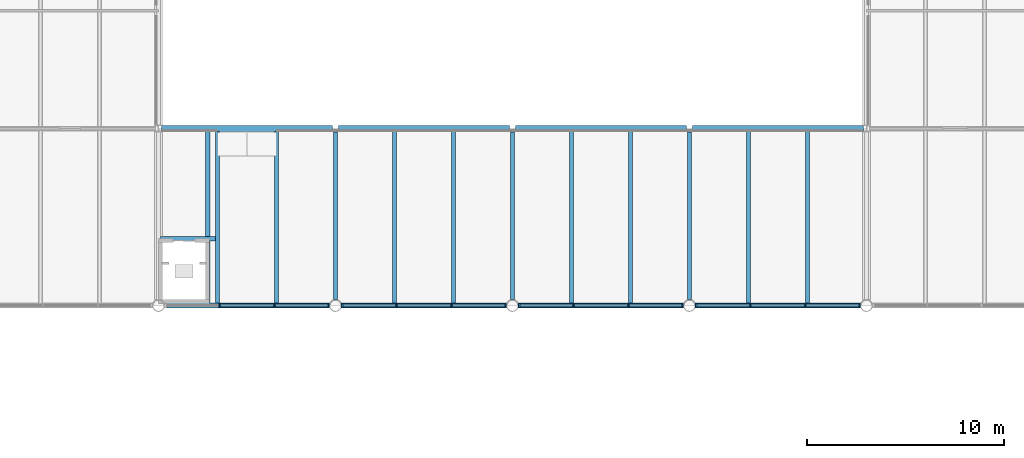
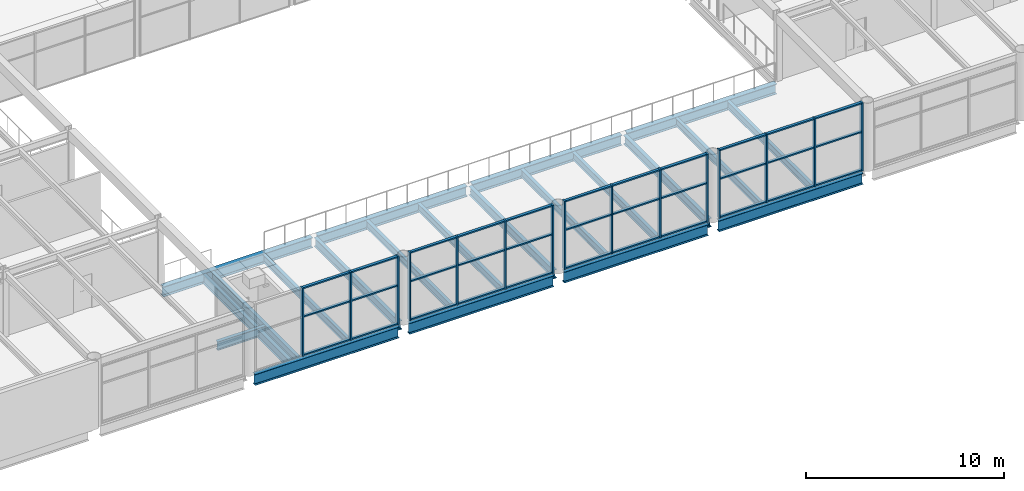
# One storey, part 41 of 123: 48 members, 22 beams, 4 elements without a shape of their own.
"""IFC4 building model written with IfcOpenShell, lengths in metres."""

from ifc_helpers import new_model, si_unit, direction, frame, origin, origin_2d, place, context, subcontext, project, spatial, rectangle, i_section, extrude, material, material_profile, profile_set, type_object, element, aggregate, save


model = new_model("IFC4")

# Units and contexts
model_context = context("Model", 3, precision=1e-05, world=origin(), true_north=direction((0.0, 1.0)))
body_context = subcontext(model_context, "Body", "Model", "MODEL_VIEW")
ifc_project = project(units=[si_unit("LENGTHUNIT", "METRE"), si_unit("AREAUNIT", "SQUARE_METRE"), si_unit("VOLUMEUNIT", "CUBIC_METRE"), si_unit("PLANEANGLEUNIT", "RADIAN"), si_unit("MASSUNIT", "GRAM", prefix="KILO")], contexts=[model_context])

# Site, building, storey
site_placement = place(None, origin())
site = spatial("IfcSite", under=ifc_project, at=site_placement, CompositionType="ELEMENT")
building_placement = place(site_placement, origin())
building = spatial("IfcBuilding", under=site, at=building_placement, Name="Baradari Gate Terminus", CompositionType="ELEMENT")
storey_placement = place(building_placement, frame((0.0, 0.0, 7.5)))
storey = spatial("IfcBuildingStorey", under=building, at=storey_placement, Name="L01", CompositionType="ELEMENT", Elevation=7.5)

# Beams
ifc_material_1 = material(Name="Steel S355", Category="steel")
ifc_material_profile_1 = material_profile(ifc_material_1, i_section(OverallWidth=0.30712890625, OverallDepth=0.6201171875, WebThickness=0.01416015625, FlangeThickness=0.023681640625, FilletRadius=0.0166015625, at=origin_2d()), Name="UB 610x305x179")
ifc_profile_set_1 = profile_set([ifc_material_profile_1], Name="Steel S355")
beam_type_1 = type_object("IfcBeamType", Name="Balcony edge beam B10 UB 610x305x179", PredefinedType="BEAM", material=ifc_profile_set_1)
beam_1_placement = place(storey_placement, frame((135.15380859375, 90.0, -0.440185546875), z_axis=(1.0, 0.0, 0.0), x_axis=(0.0, 1.0, 0.0)))
element("IfcBeam", 1, at=beam_1_placement, inside=storey, type_object=beam_type_1, Name="Balcony edge beam B10 L:135.154-143.844 L01", PredefinedType="BEAM", context=body_context, shape_type="SweptSolid", body=[
    extrude(i_section(OverallWidth=0.30712890625, OverallDepth=0.6201171875, WebThickness=0.01416015625, FlangeThickness=0.023681640625, FilletRadius=0.0166015625, at=origin_2d()), origin(), (0.0, 0.0, 1.0), 8.690673828125),
])
for number, where, z_axis, x_axis, name in (
    (2, (144.155517578125, 90.0, -0.440185546875), (1.0, 0.0, 0.0), (0.0, 1.0, 0.0), "Balcony edge beam B10 L:144.156-152.844 L01"),
    (3, (153.155517578125, 90.0, -0.440185546875), (1.0, 0.0, 0.0), (0.0, 1.0, 0.0), "Balcony edge beam B10 L:153.156-161.844 L01"),
):
    element("IfcBeam", number, at=place(storey_placement, frame(where, z_axis=z_axis, x_axis=x_axis)), inside=storey, type_object=beam_type_1, Name=name, PredefinedType="BEAM", context=body_context, shape_type="SweptSolid", body=[
        extrude(i_section(OverallWidth=0.30712890625, OverallDepth=0.6201171875, WebThickness=0.01416015625, FlangeThickness=0.023681640625, FilletRadius=0.0166015625, at=origin_2d()), origin(), (0.0, 0.0, 1.0), 8.68896484375),
    ])
beam_2_placement = place(storey_placement, frame((162.155517578125, 90.0, -0.440185546875), z_axis=(1.0, 0.0, 0.0), x_axis=(0.0, 1.0, 0.0)))
element("IfcBeam", 4, at=beam_2_placement, inside=storey, type_object=beam_type_1, Name="Balcony edge beam B10 L:162.156-170.846 L01", PredefinedType="BEAM", context=body_context, shape_type="SweptSolid", body=[
    extrude(i_section(OverallWidth=0.30712890625, OverallDepth=0.6201171875, WebThickness=0.01416015625, FlangeThickness=0.023681640625, FilletRadius=0.0166015625, at=origin_2d()), origin(), (0.0, 0.0, 1.0), 8.690673828125),
])

# Curtain wall, members
ifc_material_2 = material(Name="Aluminium 6063-T6", Category="aluminium")
curtain_wall_type = type_object("IfcCurtainWallType", Name="Curtain wall CW-11 concourse gallery glazing, other height", PredefinedType="NOTDEFINED", material=ifc_material_2)
curtain_wall_1_placement = place(storey_placement, origin())
curtain_wall_1 = element("IfcCurtainWall", 5, at=curtain_wall_1_placement, inside=storey, type_object=curtain_wall_type, Name="Glazed curtain wall CW-11 HS bay 16 L01", PredefinedType="NOTDEFINED")
ifc_material_3 = material(Name="Aluminium 6063-T6", Category="aluminium")
ifc_material_profile_2 = material_profile(ifc_material_3, rectangle(XDim=0.22509765625, YDim=0.080078125, at=origin_2d()), Name="CM-11 80X225")
ifc_profile_set_2 = profile_set([ifc_material_profile_2], Name="Aluminium 6063-T6")
member_type_1 = type_object("IfcMemberType", Name="Curtain wall mullion CM-11 80x225", PredefinedType="MULLION", material=ifc_profile_set_2)
member_1_placement = place(storey_placement, frame((138.1015625, 81.0, 0.0), z_axis=(0.0, 0.0, 1.0), x_axis=(0.0, 1.0, 0.0)))
member_1 = element("IfcMember", 6, at=member_1_placement, type_object=member_type_1, Name="CW-11 mullion 2", PredefinedType="MULLION", context=body_context, shape_type="SweptSolid", body=[
    extrude(rectangle(XDim=0.22509765625, YDim=0.080078125, at=origin_2d()), origin(), (0.0, 0.0, 1.0), 4.199951171875),
])
member_2_placement = place(storey_placement, frame((140.8984375, 81.0, 0.0), z_axis=(0.0, 0.0, 1.0), x_axis=(0.0, 1.0, 0.0)))
member_2 = element("IfcMember", 7, at=member_2_placement, type_object=member_type_1, Name="CW-11 mullion 3", PredefinedType="MULLION", context=body_context, shape_type="SweptSolid", body=[
    extrude(rectangle(XDim=0.22509765625, YDim=0.080078125, at=origin_2d()), origin(), (0.0, 0.0, 1.0), 4.199951171875),
])
member_3_placement = place(storey_placement, frame((143.655029296875, 81.0, 0.0), z_axis=(0.0, 0.0, 1.0), x_axis=(0.0, 1.0, 0.0)))
member_3 = element("IfcMember", 8, at=member_3_placement, type_object=member_type_1, Name="CW-11 mullion 4", PredefinedType="MULLION", context=body_context, shape_type="SweptSolid", body=[
    extrude(rectangle(XDim=0.22509765625, YDim=0.080078125, at=origin_2d()), origin(), (0.0, 0.0, 1.0), 4.199951171875),
])

curtain_wall_2_placement = place(storey_placement, origin())
curtain_wall_2 = element("IfcCurtainWall", 9, at=curtain_wall_2_placement, inside=storey, type_object=curtain_wall_type, Name="Glazed curtain wall CW-11 HS bay 17 L01", PredefinedType="NOTDEFINED")
member_4_placement = place(storey_placement, frame((144.344970703125, 81.0, 0.0), z_axis=(0.0, 0.0, 1.0), x_axis=(0.0, 1.0, 0.0)))
member_4 = element("IfcMember", 10, at=member_4_placement, type_object=member_type_1, Name="CW-11 mullion 1", PredefinedType="MULLION", context=body_context, shape_type="SweptSolid", body=[
    extrude(rectangle(XDim=0.22509765625, YDim=0.080078125, at=origin_2d()), origin(), (0.0, 0.0, 1.0), 4.199951171875),
])
member_5_placement = place(storey_placement, frame((147.1015625, 81.0, 0.0), z_axis=(0.0, 0.0, 1.0), x_axis=(0.0, 1.0, 0.0)))
member_5 = element("IfcMember", 11, at=member_5_placement, type_object=member_type_1, Name="CW-11 mullion 2", PredefinedType="MULLION", context=body_context, shape_type="SweptSolid", body=[
    extrude(rectangle(XDim=0.22509765625, YDim=0.080078125, at=origin_2d()), origin(), (0.0, 0.0, 1.0), 4.199951171875),
])
member_6_placement = place(storey_placement, frame((149.8984375, 81.0, 0.0), z_axis=(0.0, 0.0, 1.0), x_axis=(0.0, 1.0, 0.0)))
member_6 = element("IfcMember", 12, at=member_6_placement, type_object=member_type_1, Name="CW-11 mullion 3", PredefinedType="MULLION", context=body_context, shape_type="SweptSolid", body=[
    extrude(rectangle(XDim=0.22509765625, YDim=0.080078125, at=origin_2d()), origin(), (0.0, 0.0, 1.0), 4.199951171875),
])
member_7_placement = place(storey_placement, frame((152.655029296875, 81.0, 0.0), z_axis=(0.0, 0.0, 1.0), x_axis=(0.0, 1.0, 0.0)))
member_7 = element("IfcMember", 13, at=member_7_placement, type_object=member_type_1, Name="CW-11 mullion 4", PredefinedType="MULLION", context=body_context, shape_type="SweptSolid", body=[
    extrude(rectangle(XDim=0.22509765625, YDim=0.080078125, at=origin_2d()), origin(), (0.0, 0.0, 1.0), 4.199951171875),
])

curtain_wall_3_placement = place(storey_placement, origin())
curtain_wall_3 = element("IfcCurtainWall", 14, at=curtain_wall_3_placement, inside=storey, type_object=curtain_wall_type, Name="Glazed curtain wall CW-11 HS bay 18 L01", PredefinedType="NOTDEFINED")
member_8_placement = place(storey_placement, frame((153.344970703125, 81.0, 0.0), z_axis=(0.0, 0.0, 1.0), x_axis=(0.0, 1.0, 0.0)))
member_8 = element("IfcMember", 15, at=member_8_placement, type_object=member_type_1, Name="CW-11 mullion 1", PredefinedType="MULLION", context=body_context, shape_type="SweptSolid", body=[
    extrude(rectangle(XDim=0.22509765625, YDim=0.080078125, at=origin_2d()), origin(), (0.0, 0.0, 1.0), 4.199951171875),
])
member_9_placement = place(storey_placement, frame((156.1015625, 81.0, 0.0), z_axis=(0.0, 0.0, 1.0), x_axis=(0.0, 1.0, 0.0)))
member_9 = element("IfcMember", 16, at=member_9_placement, type_object=member_type_1, Name="CW-11 mullion 2", PredefinedType="MULLION", context=body_context, shape_type="SweptSolid", body=[
    extrude(rectangle(XDim=0.22509765625, YDim=0.080078125, at=origin_2d()), origin(), (0.0, 0.0, 1.0), 4.199951171875),
])
member_10_placement = place(storey_placement, frame((158.8984375, 81.0, 0.0), z_axis=(0.0, 0.0, 1.0), x_axis=(0.0, 1.0, 0.0)))
member_10 = element("IfcMember", 17, at=member_10_placement, type_object=member_type_1, Name="CW-11 mullion 3", PredefinedType="MULLION", context=body_context, shape_type="SweptSolid", body=[
    extrude(rectangle(XDim=0.22509765625, YDim=0.080078125, at=origin_2d()), origin(), (0.0, 0.0, 1.0), 4.199951171875),
])
member_11_placement = place(storey_placement, frame((161.655029296875, 81.0, 0.0), z_axis=(0.0, 0.0, 1.0), x_axis=(0.0, 1.0, 0.0)))
member_11 = element("IfcMember", 18, at=member_11_placement, type_object=member_type_1, Name="CW-11 mullion 4", PredefinedType="MULLION", context=body_context, shape_type="SweptSolid", body=[
    extrude(rectangle(XDim=0.22509765625, YDim=0.080078125, at=origin_2d()), origin(), (0.0, 0.0, 1.0), 4.199951171875),
])

curtain_wall_4_placement = place(storey_placement, origin())
curtain_wall_4 = element("IfcCurtainWall", 19, at=curtain_wall_4_placement, inside=storey, type_object=curtain_wall_type, Name="Glazed curtain wall CW-11 HS bay 19 L01", PredefinedType="NOTDEFINED")
member_12_placement = place(storey_placement, frame((162.344970703125, 81.0, 0.0), z_axis=(0.0, 0.0, 1.0), x_axis=(0.0, 1.0, 0.0)))
member_12 = element("IfcMember", 20, at=member_12_placement, type_object=member_type_1, Name="CW-11 mullion 1", PredefinedType="MULLION", context=body_context, shape_type="SweptSolid", body=[
    extrude(rectangle(XDim=0.22509765625, YDim=0.080078125, at=origin_2d()), origin(), (0.0, 0.0, 1.0), 4.199951171875),
])
member_13_placement = place(storey_placement, frame((165.1015625, 81.0, 0.0), z_axis=(0.0, 0.0, 1.0), x_axis=(0.0, 1.0, 0.0)))
member_13 = element("IfcMember", 21, at=member_13_placement, type_object=member_type_1, Name="CW-11 mullion 2", PredefinedType="MULLION", context=body_context, shape_type="SweptSolid", body=[
    extrude(rectangle(XDim=0.22509765625, YDim=0.080078125, at=origin_2d()), origin(), (0.0, 0.0, 1.0), 4.199951171875),
])
member_14_placement = place(storey_placement, frame((167.8984375, 81.0, 0.0), z_axis=(0.0, 0.0, 1.0), x_axis=(0.0, 1.0, 0.0)))
member_14 = element("IfcMember", 22, at=member_14_placement, type_object=member_type_1, Name="CW-11 mullion 3", PredefinedType="MULLION", context=body_context, shape_type="SweptSolid", body=[
    extrude(rectangle(XDim=0.22509765625, YDim=0.080078125, at=origin_2d()), origin(), (0.0, 0.0, 1.0), 4.199951171875),
])
member_15_placement = place(storey_placement, frame((170.655029296875, 81.0, 0.0), z_axis=(0.0, 0.0, 1.0), x_axis=(0.0, 1.0, 0.0)))
member_15 = element("IfcMember", 23, at=member_15_placement, type_object=member_type_1, Name="CW-11 mullion 4", PredefinedType="MULLION", context=body_context, shape_type="SweptSolid", body=[
    extrude(rectangle(XDim=0.22509765625, YDim=0.080078125, at=origin_2d()), origin(), (0.0, 0.0, 1.0), 4.199951171875),
])

# Member
ifc_material_4 = material(Name="Aluminium 6063-T6", Category="aluminium")
ifc_material_profile_3 = material_profile(ifc_material_4, rectangle(XDim=0.159912109375, YDim=0.080078125, at=origin_2d()), Name="CT-11 80X160")
ifc_profile_set_3 = profile_set([ifc_material_profile_3], Name="Aluminium 6063-T6")
member_type_2 = type_object("IfcMemberType", Name="Curtain wall transom CT-11 80x160", PredefinedType="USERDEFINED", material=ifc_profile_set_3)
member_16_placement = place(storey_placement, frame((138.1416015625, 81.0, 0.0400390625), z_axis=(1.0, 0.0, 0.0), x_axis=(0.0, 1.0, 0.0)))
member_16 = element("IfcMember", 24, at=member_16_placement, type_object=member_type_2, Name="CW-11 transom 2.1", ObjectType="TRANSOM", PredefinedType="USERDEFINED", context=body_context, shape_type="SweptSolid", body=[
    extrude(rectangle(XDim=0.159912109375, YDim=0.080078125, at=origin_2d()), origin(), (0.0, 0.0, 1.0), 2.716796875),
])

member_17_placement = place(storey_placement, frame((138.1416015625, 81.0, 2.39990234375), z_axis=(1.0, 0.0, 0.0), x_axis=(0.0, 1.0, 0.0)))
member_17 = element("IfcMember", 25, at=member_17_placement, type_object=member_type_2, Name="CW-11 transom 2.2", ObjectType="TRANSOM", PredefinedType="USERDEFINED", context=body_context, shape_type="SweptSolid", body=[
    extrude(rectangle(XDim=0.159912109375, YDim=0.080078125, at=origin_2d()), origin(), (0.0, 0.0, 1.0), 2.716796875),
])

member_18_placement = place(storey_placement, frame((138.1416015625, 81.0, 4.159912109375), z_axis=(1.0, 0.0, 0.0), x_axis=(0.0, 1.0, 0.0)))
member_18 = element("IfcMember", 26, at=member_18_placement, type_object=member_type_2, Name="CW-11 transom 2.3", ObjectType="TRANSOM", PredefinedType="USERDEFINED", context=body_context, shape_type="SweptSolid", body=[
    extrude(rectangle(XDim=0.159912109375, YDim=0.080078125, at=origin_2d()), origin(), (0.0, 0.0, 1.0), 2.716796875),
])

member_19_placement = place(storey_placement, frame((140.938232421875, 81.0, 0.0400390625), z_axis=(1.0, 0.0, 0.0), x_axis=(0.0, 1.0, 0.0)))
member_19 = element("IfcMember", 27, at=member_19_placement, type_object=member_type_2, Name="CW-11 transom 3.1", ObjectType="TRANSOM", PredefinedType="USERDEFINED", context=body_context, shape_type="SweptSolid", body=[
    extrude(rectangle(XDim=0.159912109375, YDim=0.080078125, at=origin_2d()), origin(), (0.0, 0.0, 1.0), 2.6767578125),
])

member_20_placement = place(storey_placement, frame((140.938232421875, 81.0, 2.39990234375), z_axis=(1.0, 0.0, 0.0), x_axis=(0.0, 1.0, 0.0)))
member_20 = element("IfcMember", 28, at=member_20_placement, type_object=member_type_2, Name="CW-11 transom 3.2", ObjectType="TRANSOM", PredefinedType="USERDEFINED", context=body_context, shape_type="SweptSolid", body=[
    extrude(rectangle(XDim=0.159912109375, YDim=0.080078125, at=origin_2d()), origin(), (0.0, 0.0, 1.0), 2.6767578125),
])

member_21_placement = place(storey_placement, frame((140.938232421875, 81.0, 4.159912109375), z_axis=(1.0, 0.0, 0.0), x_axis=(0.0, 1.0, 0.0)))
member_21 = element("IfcMember", 29, at=member_21_placement, type_object=member_type_2, Name="CW-11 transom 3.3", ObjectType="TRANSOM", PredefinedType="USERDEFINED", context=body_context, shape_type="SweptSolid", body=[
    extrude(rectangle(XDim=0.159912109375, YDim=0.080078125, at=origin_2d()), origin(), (0.0, 0.0, 1.0), 2.6767578125),
])

aggregate(curtain_wall_1, [member_1, member_2, member_3, member_16, member_17, member_18, member_19, member_20, member_21])

member_22_placement = place(storey_placement, frame((144.385009765625, 81.0, 0.0400390625), z_axis=(1.0, 0.0, 0.0), x_axis=(0.0, 1.0, 0.0)))
member_22 = element("IfcMember", 30, at=member_22_placement, type_object=member_type_2, Name="CW-11 transom 1.1", ObjectType="TRANSOM", PredefinedType="USERDEFINED", context=body_context, shape_type="SweptSolid", body=[
    extrude(rectangle(XDim=0.159912109375, YDim=0.080078125, at=origin_2d()), origin(), (0.0, 0.0, 1.0), 2.6767578125),
])

member_23_placement = place(storey_placement, frame((144.385009765625, 81.0, 2.39990234375), z_axis=(1.0, 0.0, 0.0), x_axis=(0.0, 1.0, 0.0)))
member_23 = element("IfcMember", 31, at=member_23_placement, type_object=member_type_2, Name="CW-11 transom 1.2", ObjectType="TRANSOM", PredefinedType="USERDEFINED", context=body_context, shape_type="SweptSolid", body=[
    extrude(rectangle(XDim=0.159912109375, YDim=0.080078125, at=origin_2d()), origin(), (0.0, 0.0, 1.0), 2.6767578125),
])

member_24_placement = place(storey_placement, frame((144.385009765625, 81.0, 4.159912109375), z_axis=(1.0, 0.0, 0.0), x_axis=(0.0, 1.0, 0.0)))
member_24 = element("IfcMember", 32, at=member_24_placement, type_object=member_type_2, Name="CW-11 transom 1.3", ObjectType="TRANSOM", PredefinedType="USERDEFINED", context=body_context, shape_type="SweptSolid", body=[
    extrude(rectangle(XDim=0.159912109375, YDim=0.080078125, at=origin_2d()), origin(), (0.0, 0.0, 1.0), 2.6767578125),
])

member_25_placement = place(storey_placement, frame((147.1416015625, 81.0, 0.0400390625), z_axis=(1.0, 0.0, 0.0), x_axis=(0.0, 1.0, 0.0)))
member_25 = element("IfcMember", 33, at=member_25_placement, type_object=member_type_2, Name="CW-11 transom 2.1", ObjectType="TRANSOM", PredefinedType="USERDEFINED", context=body_context, shape_type="SweptSolid", body=[
    extrude(rectangle(XDim=0.159912109375, YDim=0.080078125, at=origin_2d()), origin(), (0.0, 0.0, 1.0), 2.716796875),
])

member_26_placement = place(storey_placement, frame((147.1416015625, 81.0, 2.39990234375), z_axis=(1.0, 0.0, 0.0), x_axis=(0.0, 1.0, 0.0)))
member_26 = element("IfcMember", 34, at=member_26_placement, type_object=member_type_2, Name="CW-11 transom 2.2", ObjectType="TRANSOM", PredefinedType="USERDEFINED", context=body_context, shape_type="SweptSolid", body=[
    extrude(rectangle(XDim=0.159912109375, YDim=0.080078125, at=origin_2d()), origin(), (0.0, 0.0, 1.0), 2.716796875),
])

member_27_placement = place(storey_placement, frame((147.1416015625, 81.0, 4.159912109375), z_axis=(1.0, 0.0, 0.0), x_axis=(0.0, 1.0, 0.0)))
member_27 = element("IfcMember", 35, at=member_27_placement, type_object=member_type_2, Name="CW-11 transom 2.3", ObjectType="TRANSOM", PredefinedType="USERDEFINED", context=body_context, shape_type="SweptSolid", body=[
    extrude(rectangle(XDim=0.159912109375, YDim=0.080078125, at=origin_2d()), origin(), (0.0, 0.0, 1.0), 2.716796875),
])

member_28_placement = place(storey_placement, frame((149.938232421875, 81.0, 0.0400390625), z_axis=(1.0, 0.0, 0.0), x_axis=(0.0, 1.0, 0.0)))
member_28 = element("IfcMember", 36, at=member_28_placement, type_object=member_type_2, Name="CW-11 transom 3.1", ObjectType="TRANSOM", PredefinedType="USERDEFINED", context=body_context, shape_type="SweptSolid", body=[
    extrude(rectangle(XDim=0.159912109375, YDim=0.080078125, at=origin_2d()), origin(), (0.0, 0.0, 1.0), 2.6767578125),
])

member_29_placement = place(storey_placement, frame((149.938232421875, 81.0, 2.39990234375), z_axis=(1.0, 0.0, 0.0), x_axis=(0.0, 1.0, 0.0)))
member_29 = element("IfcMember", 37, at=member_29_placement, type_object=member_type_2, Name="CW-11 transom 3.2", ObjectType="TRANSOM", PredefinedType="USERDEFINED", context=body_context, shape_type="SweptSolid", body=[
    extrude(rectangle(XDim=0.159912109375, YDim=0.080078125, at=origin_2d()), origin(), (0.0, 0.0, 1.0), 2.6767578125),
])

member_30_placement = place(storey_placement, frame((149.938232421875, 81.0, 4.159912109375), z_axis=(1.0, 0.0, 0.0), x_axis=(0.0, 1.0, 0.0)))
member_30 = element("IfcMember", 38, at=member_30_placement, type_object=member_type_2, Name="CW-11 transom 3.3", ObjectType="TRANSOM", PredefinedType="USERDEFINED", context=body_context, shape_type="SweptSolid", body=[
    extrude(rectangle(XDim=0.159912109375, YDim=0.080078125, at=origin_2d()), origin(), (0.0, 0.0, 1.0), 2.6767578125),
])

aggregate(curtain_wall_2, [member_4, member_5, member_6, member_7, member_22, member_23, member_24, member_25, member_26, member_27, member_28, member_29, member_30])

member_31_placement = place(storey_placement, frame((153.385009765625, 81.0, 0.0400390625), z_axis=(1.0, 0.0, 0.0), x_axis=(0.0, 1.0, 0.0)))
member_31 = element("IfcMember", 39, at=member_31_placement, type_object=member_type_2, Name="CW-11 transom 1.1", ObjectType="TRANSOM", PredefinedType="USERDEFINED", context=body_context, shape_type="SweptSolid", body=[
    extrude(rectangle(XDim=0.159912109375, YDim=0.080078125, at=origin_2d()), origin(), (0.0, 0.0, 1.0), 2.6767578125),
])

member_32_placement = place(storey_placement, frame((153.385009765625, 81.0, 2.39990234375), z_axis=(1.0, 0.0, 0.0), x_axis=(0.0, 1.0, 0.0)))
member_32 = element("IfcMember", 40, at=member_32_placement, type_object=member_type_2, Name="CW-11 transom 1.2", ObjectType="TRANSOM", PredefinedType="USERDEFINED", context=body_context, shape_type="SweptSolid", body=[
    extrude(rectangle(XDim=0.159912109375, YDim=0.080078125, at=origin_2d()), origin(), (0.0, 0.0, 1.0), 2.6767578125),
])

member_33_placement = place(storey_placement, frame((153.385009765625, 81.0, 4.159912109375), z_axis=(1.0, 0.0, 0.0), x_axis=(0.0, 1.0, 0.0)))
member_33 = element("IfcMember", 41, at=member_33_placement, type_object=member_type_2, Name="CW-11 transom 1.3", ObjectType="TRANSOM", PredefinedType="USERDEFINED", context=body_context, shape_type="SweptSolid", body=[
    extrude(rectangle(XDim=0.159912109375, YDim=0.080078125, at=origin_2d()), origin(), (0.0, 0.0, 1.0), 2.6767578125),
])

member_34_placement = place(storey_placement, frame((156.1416015625, 81.0, 0.0400390625), z_axis=(1.0, 0.0, 0.0), x_axis=(0.0, 1.0, 0.0)))
member_34 = element("IfcMember", 42, at=member_34_placement, type_object=member_type_2, Name="CW-11 transom 2.1", ObjectType="TRANSOM", PredefinedType="USERDEFINED", context=body_context, shape_type="SweptSolid", body=[
    extrude(rectangle(XDim=0.159912109375, YDim=0.080078125, at=origin_2d()), origin(), (0.0, 0.0, 1.0), 2.716796875),
])

member_35_placement = place(storey_placement, frame((156.1416015625, 81.0, 2.39990234375), z_axis=(1.0, 0.0, 0.0), x_axis=(0.0, 1.0, 0.0)))
member_35 = element("IfcMember", 43, at=member_35_placement, type_object=member_type_2, Name="CW-11 transom 2.2", ObjectType="TRANSOM", PredefinedType="USERDEFINED", context=body_context, shape_type="SweptSolid", body=[
    extrude(rectangle(XDim=0.159912109375, YDim=0.080078125, at=origin_2d()), origin(), (0.0, 0.0, 1.0), 2.716796875),
])

member_36_placement = place(storey_placement, frame((156.1416015625, 81.0, 4.159912109375), z_axis=(1.0, 0.0, 0.0), x_axis=(0.0, 1.0, 0.0)))
member_36 = element("IfcMember", 44, at=member_36_placement, type_object=member_type_2, Name="CW-11 transom 2.3", ObjectType="TRANSOM", PredefinedType="USERDEFINED", context=body_context, shape_type="SweptSolid", body=[
    extrude(rectangle(XDim=0.159912109375, YDim=0.080078125, at=origin_2d()), origin(), (0.0, 0.0, 1.0), 2.716796875),
])

member_37_placement = place(storey_placement, frame((158.938232421875, 81.0, 0.0400390625), z_axis=(1.0, 0.0, 0.0), x_axis=(0.0, 1.0, 0.0)))
member_37 = element("IfcMember", 45, at=member_37_placement, type_object=member_type_2, Name="CW-11 transom 3.1", ObjectType="TRANSOM", PredefinedType="USERDEFINED", context=body_context, shape_type="SweptSolid", body=[
    extrude(rectangle(XDim=0.159912109375, YDim=0.080078125, at=origin_2d()), origin(), (0.0, 0.0, 1.0), 2.6767578125),
])

member_38_placement = place(storey_placement, frame((158.938232421875, 81.0, 2.39990234375), z_axis=(1.0, 0.0, 0.0), x_axis=(0.0, 1.0, 0.0)))
member_38 = element("IfcMember", 46, at=member_38_placement, type_object=member_type_2, Name="CW-11 transom 3.2", ObjectType="TRANSOM", PredefinedType="USERDEFINED", context=body_context, shape_type="SweptSolid", body=[
    extrude(rectangle(XDim=0.159912109375, YDim=0.080078125, at=origin_2d()), origin(), (0.0, 0.0, 1.0), 2.6767578125),
])

member_39_placement = place(storey_placement, frame((158.938232421875, 81.0, 4.159912109375), z_axis=(1.0, 0.0, 0.0), x_axis=(0.0, 1.0, 0.0)))
member_39 = element("IfcMember", 47, at=member_39_placement, type_object=member_type_2, Name="CW-11 transom 3.3", ObjectType="TRANSOM", PredefinedType="USERDEFINED", context=body_context, shape_type="SweptSolid", body=[
    extrude(rectangle(XDim=0.159912109375, YDim=0.080078125, at=origin_2d()), origin(), (0.0, 0.0, 1.0), 2.6767578125),
])

aggregate(curtain_wall_3, [member_8, member_9, member_10, member_11, member_31, member_32, member_33, member_34, member_35, member_36, member_37, member_38, member_39])

member_40_placement = place(storey_placement, frame((162.385009765625, 81.0, 0.0400390625), z_axis=(1.0, 0.0, 0.0), x_axis=(0.0, 1.0, 0.0)))
member_40 = element("IfcMember", 48, at=member_40_placement, type_object=member_type_2, Name="CW-11 transom 1.1", ObjectType="TRANSOM", PredefinedType="USERDEFINED", context=body_context, shape_type="SweptSolid", body=[
    extrude(rectangle(XDim=0.159912109375, YDim=0.080078125, at=origin_2d()), origin(), (0.0, 0.0, 1.0), 2.6767578125),
])

member_41_placement = place(storey_placement, frame((162.385009765625, 81.0, 2.39990234375), z_axis=(1.0, 0.0, 0.0), x_axis=(0.0, 1.0, 0.0)))
member_41 = element("IfcMember", 49, at=member_41_placement, type_object=member_type_2, Name="CW-11 transom 1.2", ObjectType="TRANSOM", PredefinedType="USERDEFINED", context=body_context, shape_type="SweptSolid", body=[
    extrude(rectangle(XDim=0.159912109375, YDim=0.080078125, at=origin_2d()), origin(), (0.0, 0.0, 1.0), 2.6767578125),
])

member_42_placement = place(storey_placement, frame((162.385009765625, 81.0, 4.159912109375), z_axis=(1.0, 0.0, 0.0), x_axis=(0.0, 1.0, 0.0)))
member_42 = element("IfcMember", 50, at=member_42_placement, type_object=member_type_2, Name="CW-11 transom 1.3", ObjectType="TRANSOM", PredefinedType="USERDEFINED", context=body_context, shape_type="SweptSolid", body=[
    extrude(rectangle(XDim=0.159912109375, YDim=0.080078125, at=origin_2d()), origin(), (0.0, 0.0, 1.0), 2.6767578125),
])

member_43_placement = place(storey_placement, frame((165.1416015625, 81.0, 0.0400390625), z_axis=(1.0, 0.0, 0.0), x_axis=(0.0, 1.0, 0.0)))
member_43 = element("IfcMember", 51, at=member_43_placement, type_object=member_type_2, Name="CW-11 transom 2.1", ObjectType="TRANSOM", PredefinedType="USERDEFINED", context=body_context, shape_type="SweptSolid", body=[
    extrude(rectangle(XDim=0.159912109375, YDim=0.080078125, at=origin_2d()), origin(), (0.0, 0.0, 1.0), 2.716796875),
])

member_44_placement = place(storey_placement, frame((165.1416015625, 81.0, 2.39990234375), z_axis=(1.0, 0.0, 0.0), x_axis=(0.0, 1.0, 0.0)))
member_44 = element("IfcMember", 52, at=member_44_placement, type_object=member_type_2, Name="CW-11 transom 2.2", ObjectType="TRANSOM", PredefinedType="USERDEFINED", context=body_context, shape_type="SweptSolid", body=[
    extrude(rectangle(XDim=0.159912109375, YDim=0.080078125, at=origin_2d()), origin(), (0.0, 0.0, 1.0), 2.716796875),
])

member_45_placement = place(storey_placement, frame((165.1416015625, 81.0, 4.159912109375), z_axis=(1.0, 0.0, 0.0), x_axis=(0.0, 1.0, 0.0)))
member_45 = element("IfcMember", 53, at=member_45_placement, type_object=member_type_2, Name="CW-11 transom 2.3", ObjectType="TRANSOM", PredefinedType="USERDEFINED", context=body_context, shape_type="SweptSolid", body=[
    extrude(rectangle(XDim=0.159912109375, YDim=0.080078125, at=origin_2d()), origin(), (0.0, 0.0, 1.0), 2.716796875),
])

member_46_placement = place(storey_placement, frame((167.938232421875, 81.0, 0.0400390625), z_axis=(1.0, 0.0, 0.0), x_axis=(0.0, 1.0, 0.0)))
member_46 = element("IfcMember", 54, at=member_46_placement, type_object=member_type_2, Name="CW-11 transom 3.1", ObjectType="TRANSOM", PredefinedType="USERDEFINED", context=body_context, shape_type="SweptSolid", body=[
    extrude(rectangle(XDim=0.159912109375, YDim=0.080078125, at=origin_2d()), origin(), (0.0, 0.0, 1.0), 2.6767578125),
])

member_47_placement = place(storey_placement, frame((167.938232421875, 81.0, 2.39990234375), z_axis=(1.0, 0.0, 0.0), x_axis=(0.0, 1.0, 0.0)))
member_47 = element("IfcMember", 55, at=member_47_placement, type_object=member_type_2, Name="CW-11 transom 3.2", ObjectType="TRANSOM", PredefinedType="USERDEFINED", context=body_context, shape_type="SweptSolid", body=[
    extrude(rectangle(XDim=0.159912109375, YDim=0.080078125, at=origin_2d()), origin(), (0.0, 0.0, 1.0), 2.6767578125),
])

member_48_placement = place(storey_placement, frame((167.938232421875, 81.0, 4.159912109375), z_axis=(1.0, 0.0, 0.0), x_axis=(0.0, 1.0, 0.0)))
member_48 = element("IfcMember", 56, at=member_48_placement, type_object=member_type_2, Name="CW-11 transom 3.3", ObjectType="TRANSOM", PredefinedType="USERDEFINED", context=body_context, shape_type="SweptSolid", body=[
    extrude(rectangle(XDim=0.159912109375, YDim=0.080078125, at=origin_2d()), origin(), (0.0, 0.0, 1.0), 2.6767578125),
])

aggregate(curtain_wall_4, [member_12, member_13, member_14, member_15, member_40, member_41, member_42, member_43, member_44, member_45, member_46, member_47, member_48])

# Beams
ifc_material_5 = material(Name="Steel S355", Category="steel")
ifc_material_profile_4 = material_profile(ifc_material_5, i_section(OverallWidth=0.210693359375, OverallDepth=0.53955078125, WebThickness=0.01171875, FlangeThickness=0.018798828125, FilletRadius=0.0126953125, at=origin_2d()), Name="UB 533x210x109")
ifc_profile_set_4 = profile_set([ifc_material_profile_4], Name="Steel S355")
beam_type_2 = type_object("IfcBeamType", Name="Head-house cross girder B12 UB 533x210x109", PredefinedType="BEAM", material=ifc_profile_set_4)
for number, where, z_axis, x_axis, name in (
    (57, (144.0, 81.304931640625, -0.399658203125), (0.0, 1.0, 0.0), (-1.0, 0.0, 0.0), "Head-house cross girder B12 17:81.305-89.836 L01"),
    (58, (153.0, 81.304931640625, -0.399658203125), (0.0, 1.0, 0.0), (-1.0, 0.0, 0.0), "Head-house cross girder B12 18:81.305-89.836 L01"),
    (59, (162.0, 81.304931640625, -0.399658203125), (0.0, 1.0, 0.0), (-1.0, 0.0, 0.0), "Head-house cross girder B12 19:81.305-89.836 L01"),
):
    element("IfcBeam", number, at=place(storey_placement, frame(where, z_axis=z_axis, x_axis=x_axis)), inside=storey, type_object=beam_type_2, Name=name, PredefinedType="BEAM", context=body_context, shape_type="SweptSolid", body=[
        extrude(i_section(OverallWidth=0.210693359375, OverallDepth=0.53955078125, WebThickness=0.01171875, FlangeThickness=0.018798828125, FilletRadius=0.0126953125, at=origin_2d()), origin(), (0.0, 0.0, 1.0), 8.531494140625),
    ])
ifc_material_6 = material(Name="Steel S355", Category="steel")
ifc_material_profile_5 = material_profile(ifc_material_6, i_section(OverallWidth=0.2529296875, OverallDepth=0.677978515625, WebThickness=0.01171875, FlangeThickness=0.01611328125, FilletRadius=0.01513671875, at=origin_2d()), Name="UB 686x254x125")
ifc_profile_set_5 = profile_set([ifc_material_profile_5], Name="Steel S355")
beam_type_3 = type_object("IfcBeamType", Name="Head-house edge girder B07 UB 686x254x125", PredefinedType="BEAM", material=ifc_profile_set_5)
for number, where, z_axis, x_axis, name in (
    (60, (135.304931640625, 81.0, -0.468994140625), (1.0, 0.0, 0.0), (0.0, 1.0, 0.0), "Head-house edge girder B07 K:135.305-143.695 L01"),
    (61, (144.304931640625, 81.0, -0.468994140625), (1.0, 0.0, 0.0), (0.0, 1.0, 0.0), "Head-house edge girder B07 K:144.305-152.695 L01"),
    (62, (153.304931640625, 81.0, -0.468994140625), (1.0, 0.0, 0.0), (0.0, 1.0, 0.0), "Head-house edge girder B07 K:153.305-161.695 L01"),
    (63, (162.304931640625, 81.0, -0.468994140625), (1.0, 0.0, 0.0), (0.0, 1.0, 0.0), "Head-house edge girder B07 K:162.305-170.695 L01"),
):
    element("IfcBeam", number, at=place(storey_placement, frame(where, z_axis=z_axis, x_axis=x_axis)), inside=storey, type_object=beam_type_3, Name=name, PredefinedType="BEAM", context=body_context, shape_type="SweptSolid", body=[
        extrude(i_section(OverallWidth=0.2529296875, OverallDepth=0.677978515625, WebThickness=0.01171875, FlangeThickness=0.01611328125, FilletRadius=0.01513671875, at=origin_2d()), origin(), (0.0, 0.0, 1.0), 8.39013671875),
    ])
ifc_material_7 = material(Name="Steel S355", Category="steel")
ifc_material_profile_6 = material_profile(ifc_material_7, i_section(OverallWidth=0.18994140625, OverallDepth=0.453369140625, WebThickness=0.008544921875, FlangeThickness=0.0126953125, FilletRadius=0.01025390625, at=origin_2d()), Name="UB 457x191x67")
ifc_profile_set_6 = profile_set([ifc_material_profile_6], Name="Steel S355")
beam_type_4 = type_object("IfcBeamType", Name="Head-house secondary beam B11 UB 457x191x67", PredefinedType="BEAM", material=ifc_profile_set_6)
for number, where, z_axis, x_axis, name in (
    (64, (138.0, 81.12646484375, -0.356689453125), (0.0, 1.0, 0.0), (-1.0, 0.0, 0.0), "Head-house secondary beam B11 138:81.126-89.847 L01"),
    (65, (141.0, 81.12646484375, -0.356689453125), (0.0, 1.0, 0.0), (-1.0, 0.0, 0.0), "Head-house secondary beam B11 141:81.126-89.847 L01"),
    (66, (147.0, 81.12646484375, -0.356689453125), (0.0, 1.0, 0.0), (-1.0, 0.0, 0.0), "Head-house secondary beam B11 147:81.126-89.847 L01"),
    (67, (150.0, 81.12646484375, -0.356689453125), (0.0, 1.0, 0.0), (-1.0, 0.0, 0.0), "Head-house secondary beam B11 150:81.126-89.847 L01"),
    (68, (156.0, 81.12646484375, -0.356689453125), (0.0, 1.0, 0.0), (-1.0, 0.0, 0.0), "Head-house secondary beam B11 156:81.126-89.847 L01"),
    (69, (159.0, 81.12646484375, -0.356689453125), (0.0, 1.0, 0.0), (-1.0, 0.0, 0.0), "Head-house secondary beam B11 159:81.126-89.847 L01"),
    (70, (165.0, 81.12646484375, -0.356689453125), (0.0, 1.0, 0.0), (-1.0, 0.0, 0.0), "Head-house secondary beam B11 165:81.126-89.847 L01"),
    (71, (168.0, 81.12646484375, -0.356689453125), (0.0, 1.0, 0.0), (-1.0, 0.0, 0.0), "Head-house secondary beam B11 168:81.126-89.847 L01"),
):
    element("IfcBeam", number, at=place(storey_placement, frame(where, z_axis=z_axis, x_axis=x_axis)), inside=storey, type_object=beam_type_4, Name=name, PredefinedType="BEAM", context=body_context, shape_type="SweptSolid", body=[
        extrude(i_section(OverallWidth=0.18994140625, OverallDepth=0.453369140625, WebThickness=0.008544921875, FlangeThickness=0.0126953125, FilletRadius=0.01025390625, at=origin_2d()), origin(), (0.0, 0.0, 1.0), 8.719970703125),
    ])
ifc_material_8 = material(Name="Steel S355", Category="steel")
ifc_material_profile_7 = material_profile(ifc_material_8, i_section(OverallWidth=0.209228515625, OverallDepth=0.533203125, WebThickness=0.010009765625, FlangeThickness=0.015625, FilletRadius=0.0126953125, at=origin_2d()), Name="UB 533x210x92")
ifc_profile_set_7 = profile_set([ifc_material_profile_7], Name="Steel S355")
beam_type_5 = type_object("IfcBeamType", Name="Head-house trimmer beam B08 UB 533x210x92", PredefinedType="BEAM", material=ifc_profile_set_7)
beam_3_placement = place(storey_placement, frame((135.10546875, 84.39990234375, -0.396484375), z_axis=(1.0, 0.0, 0.0), x_axis=(0.0, 1.0, 0.0)))
element("IfcBeam", 72, at=beam_3_placement, inside=storey, type_object=beam_type_5, Name="Head-house trimmer beam B08 84.4:135.105-137.905 L01", PredefinedType="BEAM", context=body_context, shape_type="SweptSolid", body=[
    extrude(i_section(OverallWidth=0.209228515625, OverallDepth=0.533203125, WebThickness=0.010009765625, FlangeThickness=0.015625, FilletRadius=0.0126953125, at=origin_2d()), origin(), (0.0, 0.0, 1.0), 2.799560546875),
])
beam_4_placement = place(storey_placement, frame((137.5048828125, 81.12646484375, -0.396484375), z_axis=(0.0, 1.0, 0.0), x_axis=(-1.0, 0.0, 0.0)))
element("IfcBeam", 73, at=beam_4_placement, inside=storey, type_object=beam_type_5, Name="Head-house trimmer beam B08 137.505:81.126-84.295 L01", PredefinedType="BEAM", context=body_context, shape_type="SweptSolid", body=[
    extrude(i_section(OverallWidth=0.209228515625, OverallDepth=0.533203125, WebThickness=0.010009765625, FlangeThickness=0.015625, FilletRadius=0.0126953125, at=origin_2d()), origin(), (0.0, 0.0, 1.0), 3.1689453125),
])
beam_5_placement = place(storey_placement, frame((137.5048828125, 84.504638671875, -0.396484375), z_axis=(0.0, 1.0, 0.0), x_axis=(-1.0, 0.0, 0.0)))
element("IfcBeam", 74, at=beam_5_placement, inside=storey, type_object=beam_type_5, Name="Head-house trimmer beam B08 137.505:84.505-89.847 L01", PredefinedType="BEAM", context=body_context, shape_type="SweptSolid", body=[
    extrude(i_section(OverallWidth=0.209228515625, OverallDepth=0.533203125, WebThickness=0.010009765625, FlangeThickness=0.015625, FilletRadius=0.0126953125, at=origin_2d()), origin(), (0.0, 0.0, 1.0), 5.341796875),
])

save(model, "model.ifc")
